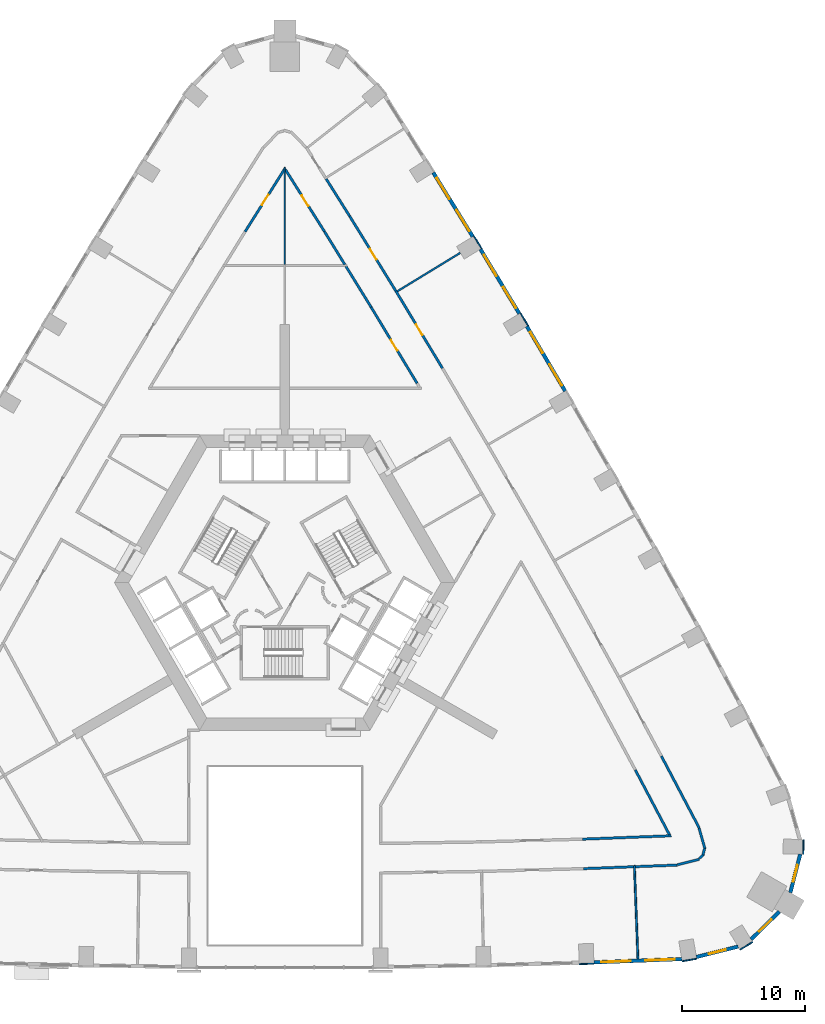
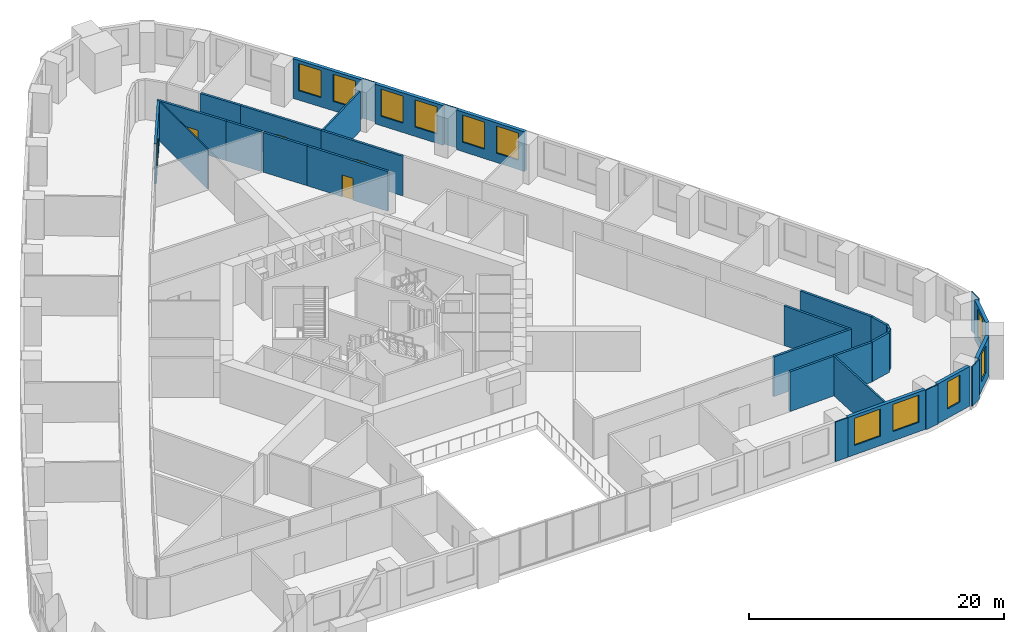
# One storey, part 10 of 13: 33 walls, 11 windows, 5 doors, 16 openings.
"""IFC4 building model written with IfcOpenShell, lengths in metres."""

import ifcopenshell
import ifcopenshell.guid

model = None  # the IFC model being written
_history = None  # IfcOwnerHistory: only IFC2X3 demands one
_inside = {}  # id of a spatial element -> (the spatial element, [elements in it])
_under = {}  # id of a project, library or spatial element -> (it, [spatial elements below it])
_declared = {}  # id of a project -> (the project, [libraries it declares])
_typed = {}  # id of a type object -> (the type object, [elements of that type])
_made_of = {}  # id of a material, layer set ... -> (it, [elements and type objects made of it])


def new_model(schema):
    """Start an empty IFC model of exactly this schema.

    Asked for "IFC4X3", IfcOpenShell would pick the latest addendum, in which some entities
    have other attributes; the version numbers below select the first issue.
    IFC2X3 requires an IfcOwnerHistory on every rooted entity: one is made here for all.
    """
    global model, _history
    if schema == "IFC4X3":
        model = ifcopenshell.file(schema_version=(4, 3, 0, 0))
    else:
        model = ifcopenshell.file(schema=schema)
    _inside.clear()
    _under.clear()
    _declared.clear()
    _typed.clear()
    _made_of.clear()
    _history = None
    if model.schema == "IFC2X3":
        org = make("IfcOrganization", Name="unknown")
        user = make(
            "IfcPersonAndOrganization",
            ThePerson=make("IfcPerson", FamilyName="unknown"),
            TheOrganization=org,
        )
        app = make(
            "IfcApplication",
            ApplicationDeveloper=org,
            Version="unknown",
            ApplicationFullName="unknown",
            ApplicationIdentifier="unknown",
        )
        _history = make(
            "IfcOwnerHistory",
            OwningUser=user,
            OwningApplication=app,
            ChangeAction="ADDED",
            CreationDate=0,
        )
    return model


def make(cls, **values):
    """One entity of the class cls with the attributes given. An attribute that is None is left unset."""
    return model.create_entity(
        cls, **{name: value for name, value in values.items() if value is not None}
    )


def rooted(cls, **values):
    """An entity with a GlobalId (a new one), such as an element, a storey or a relation."""
    return make(cls, GlobalId=ifcopenshell.guid.new(), OwnerHistory=_history, **values)


def si_unit(unit_type, name, prefix=None):
    """IfcSIUnit, for example si_unit("LENGTHUNIT", "METRE", prefix="MILLI")."""
    return make("IfcSIUnit", UnitType=unit_type, Prefix=prefix, Name=name)


def assignment(units):
    """IfcUnitAssignment: the units of a project."""
    return None if units is None else make("IfcUnitAssignment", Units=units)


def point(xyz):
    """IfcCartesianPoint."""
    return None if xyz is None else make("IfcCartesianPoint", Coordinates=xyz)


def direction(xyz):
    """IfcDirection."""
    return None if xyz is None else make("IfcDirection", DirectionRatios=xyz)


def frame(location, z_axis=None, x_axis=None):
    """IfcAxis2Placement3D, a coordinate frame: its origin and axes. An axis left out is left unset."""
    return make(
        "IfcAxis2Placement3D",
        Location=point(location),
        Axis=direction(z_axis),
        RefDirection=direction(x_axis),
    )


def frame_2d(location, x_axis=None):
    """IfcAxis2Placement2D, a coordinate frame in the plane: its origin and x axis."""
    return make(
        "IfcAxis2Placement2D", Location=point(location), RefDirection=direction(x_axis)
    )


def origin():
    """The frame at (0, 0, 0) with its axes left unset."""
    return frame((0.0, 0.0, 0.0))


def place(relative_to, where):
    """IfcLocalPlacement: puts the frame where relative to a parent placement (None: the world)."""
    return make(
        "IfcLocalPlacement", PlacementRelTo=relative_to, RelativePlacement=where
    )


def context(
    kind, dimensions, precision=None, world=None, true_north=None, identifier=None
):
    """IfcGeometricRepresentationContext, for example the 3D "Model" context."""
    return make(
        "IfcGeometricRepresentationContext",
        ContextIdentifier=identifier,
        ContextType=kind,
        CoordinateSpaceDimension=dimensions,
        Precision=precision,
        WorldCoordinateSystem=world,
        TrueNorth=true_north,
    )


def subcontext(parent, identifier, kind, view, scale=None):
    """IfcGeometricRepresentationSubContext, for example "Body" below "Model"."""
    return make(
        "IfcGeometricRepresentationSubContext",
        ContextIdentifier=identifier,
        ContextType=kind,
        ParentContext=parent,
        TargetScale=scale,
        TargetView=view,
    )


def project(units=None, contexts=None):
    """IfcProject with its units and contexts."""
    return rooted(
        "IfcProject",
        Name="project",
        RepresentationContexts=contexts,
        UnitsInContext=assignment(units),
    )


def spatial(cls, under=None, at=None, **own):
    """A site, building, storey or space (cls), placed at a placement, below another one or the project."""
    s = rooted(cls, ObjectPlacement=at, **own)
    if under is not None:
        _under.setdefault(under.id(), (under, []))[1].append(s)
    return s


def profile(cls, at=None, kind="AREA", **sizes):
    """A parametric profile (cls). Its sizes go by their IFC names, for example OverallWidth=200.0."""
    return make(cls, ProfileType=kind, Position=at, **sizes)


def rectangle(**sizes):
    """IfcRectangleProfileDef."""
    return profile("IfcRectangleProfileDef", **sizes)


def extrude(swept, where, along, depth):
    """IfcExtrudedAreaSolid: the profile swept, set in the frame where, extruded along a direction by depth."""
    return make(
        "IfcExtrudedAreaSolid",
        SweptArea=swept,
        Position=where,
        ExtrudedDirection=direction(along),
        Depth=depth,
    )


def shape(context_of_items, identifier, shape_type, items):
    """IfcShapeRepresentation: the items that make up one representation, for example the "Body"."""
    return make(
        "IfcShapeRepresentation",
        ContextOfItems=context_of_items,
        RepresentationIdentifier=identifier,
        RepresentationType=shape_type,
        Items=items,
    )


def material(Name=None, Category=None):
    """IfcMaterial."""
    return make("IfcMaterial", Name=Name, Category=Category)


def layer(
    of_material, thickness, ventilated=None, Name=None, Category=None, Priority=None
):
    """IfcMaterialLayer: one layer of a wall or slab, of a material (None: an air gap)."""
    return make(
        "IfcMaterialLayer",
        Material=of_material,
        LayerThickness=thickness,
        IsVentilated=ventilated,
        Name=Name,
        Category=Category,
        Priority=Priority,
    )


def layer_set(layers, Name=None):
    """IfcMaterialLayerSet."""
    return make("IfcMaterialLayerSet", MaterialLayers=layers, LayerSetName=Name)


def made_of(thing, what):
    """Note that an element or type object is made of a material, layer set ...; save() writes the relation."""
    if what is not None:
        _made_of.setdefault(what.id(), (what, []))[1].append(thing)
    return thing


def type_object(cls, material=None, **own):
    """A type object (cls), such as IfcWallType, which elements share."""
    return made_of(rooted(cls, **own), material)


def element(
    cls,
    number,
    at=None,
    inside=None,
    cuts=None,
    type_object=None,
    material=None,
    context=None,
    identifier="Body",
    shape_type=None,
    held_by="IfcProductDefinitionShape",
    body=None,
    shapes=None,
    **own,
):
    """One element of the class cls, such as IfcWall. Its Tag is "e" and its number.

    at: its placement. inside: the storey or other place that contains it. cuts: it is an
    opening in that element (IfcRelVoidsElement). A single representation is given by context,
    identifier, shape_type and body (its items); several are given by shapes. held_by: the class
    of the entity that holds the representations. save() writes the other relations.
    """
    e = rooted(cls, Tag="e%d" % number, ObjectPlacement=at, **own)
    if body is not None:
        shapes = [shape(context, identifier, shape_type, body)]
    if shapes is not None:
        e.Representation = make(held_by, Representations=shapes)
    if inside is not None:
        _inside.setdefault(inside.id(), (inside, []))[1].append(e)
    if cuts is not None:
        rooted(
            "IfcRelVoidsElement", RelatingBuildingElement=cuts, RelatedOpeningElement=e
        )
    if type_object is not None:
        _typed.setdefault(type_object.id(), (type_object, []))[1].append(e)
    return made_of(e, material)


def fill(opening, filler):
    """IfcRelFillsElement: the door or window that sits in an opening."""
    return rooted(
        "IfcRelFillsElement",
        RelatingOpeningElement=opening,
        RelatedBuildingElement=filler,
    )


def aggregate(whole, parts):
    """IfcRelAggregates: a whole, such as a stair, and the parts it consists of."""
    return rooted("IfcRelAggregates", RelatingObject=whole, RelatedObjects=parts)


def save(model, path):
    """Write the relations noted so far, then the file.

    IfcRelAggregates (storeys below a building ...), IfcRelContainedInSpatialStructure (elements
    in a storey), IfcRelDefinesByType, IfcRelAssociatesMaterial and IfcRelDeclares: one each for
    every whole, place, type object, material and project.
    """
    for whole, parts in _under.values():
        aggregate(whole, parts)
    for where, things in _inside.values():
        rooted(
            "IfcRelContainedInSpatialStructure",
            RelatedElements=things,
            RelatingStructure=where,
        )
    for kind, things in _typed.values():
        rooted("IfcRelDefinesByType", RelatedObjects=things, RelatingType=kind)
    for what, things in _made_of.values():
        rooted("IfcRelAssociatesMaterial", RelatedObjects=things, RelatingMaterial=what)
    for by, libraries in _declared.values():
        rooted("IfcRelDeclares", RelatingContext=by, RelatedDefinitions=libraries)
    model.write(path)


model = new_model("IFC4")

# Units and contexts
model_context = context("Model", 3, precision=1e-05, world=origin(), true_north=direction((0.0, 1.0)))
body_context = subcontext(model_context, "Body", "Model", "MODEL_VIEW")
ifc_project = project(units=[si_unit("LENGTHUNIT", "METRE"), si_unit("AREAUNIT", "SQUARE_METRE"), si_unit("VOLUMEUNIT", "CUBIC_METRE"), si_unit("PLANEANGLEUNIT", "RADIAN"), si_unit("MASSUNIT", "GRAM", prefix="KILO")], contexts=[model_context])

# Site, building, storey
site_placement = place(None, origin())
site = spatial("IfcSite", under=ifc_project, at=site_placement, CompositionType="ELEMENT")
building_placement = place(site_placement, origin())
building = spatial("IfcBuilding", under=site, at=building_placement, Name="Entoto Arch Interchange Tower", CompositionType="ELEMENT")
storey_placement = place(building_placement, frame((0.0, 0.0, 51.800048828125)))
storey = spatial("IfcBuildingStorey", under=building, at=storey_placement, Name="L10", CompositionType="ELEMENT", Elevation=51.800048828125)

# Walls
ifc_material_1 = material(Name="Gypsum board partition on steel studs", Category="steel")
ifc_layer_1 = layer(ifc_material_1, 0.10009765625)
ifc_layer_set_1 = layer_set([ifc_layer_1], Name="Gypsum board partition on steel studs")
wall_type_1 = type_object("IfcWallType", Name="PARTITION 100", PredefinedType="PARTITIONING", material=ifc_layer_set_1)
wall_1_placement = place(storey_placement, frame((0.0, 28.375, 0.0), z_axis=(0.0, 0.0, 1.0), x_axis=(0.0, 1.0, 0.0)))
element("IfcWall", 1, at=wall_1_placement, inside=storey, type_object=wall_type_1, Name="wall:L10:p122", PredefinedType="PARTITIONING", context=body_context, shape_type="SweptSolid", body=[
    extrude(rectangle(XDim=7.89501953125, YDim=0.10009765625, at=frame_2d((3.947509765625, 0.0))), origin(), (0.0, 0.0, 1.0), 3.800048828125),
])
ifc_layer_2 = layer(ifc_material_1, 0.14990234375)
ifc_layer_set_2 = layer_set([ifc_layer_2], Name="Gypsum board partition on steel studs")
wall_type_2 = type_object("IfcWallType", Name="PARTITION 150", PredefinedType="PARTITIONING", material=ifc_layer_set_2)
wall_2_placement = place(storey_placement, frame((28.425048828125, -20.4970703125, 0.0), z_axis=(0.0, 0.0, 1.0), x_axis=(0.03816049016, -0.999271623229, 0.0)))
element("IfcWall", 2, at=wall_2_placement, inside=storey, type_object=wall_type_2, Name="wall:L10:p133", PredefinedType="PARTITIONING", context=body_context, shape_type="SweptSolid", body=[
    extrude(rectangle(XDim=7.6005859375, YDim=0.14990234375, at=frame_2d((3.80029296875, 0.0))), origin(), (0.0, 0.0, 1.0), 3.800048828125),
])
wall_3_placement = place(storey_placement, frame((9.156005859375, 26.200927734375, 0.0), z_axis=(0.0, 0.0, 1.0), x_axis=(0.853632819511, 0.520875234057, 0.0)))
element("IfcWall", 3, at=wall_3_placement, inside=storey, type_object=wall_type_2, Name="wall:L10:p137", PredefinedType="PARTITIONING", context=body_context, shape_type="SweptSolid", body=[
    extrude(rectangle(XDim=5.980224609375, YDim=0.14990234375, at=frame_2d((2.990234375, 0.0))), origin(), (0.0, 0.0, 1.0), 3.800048828125),
])

# Wall, opening, door
ifc_layer_3 = layer(ifc_material_1, 0.199951171875)
ifc_layer_set_3 = layer_set([ifc_layer_3], Name="Gypsum board partition on steel studs")
wall_type_3 = type_object("IfcWallType", Name="PARTITION 200", PredefinedType="PARTITIONING", material=ifc_layer_set_3)
wall_4_placement = place(storey_placement, frame((10.75390625, 18.716064453125, 0.0), z_axis=(0.0, 0.0, 1.0), x_axis=(-0.516755973305, 0.856132737403, 0.0)))
wall_4 = element("IfcWall", 4, at=wall_4_placement, inside=storey, type_object=wall_type_3, Name="wall:L10:p009", PredefinedType="PARTITIONING", context=body_context, shape_type="SweptSolid", body=[
    extrude(rectangle(XDim=7.221923828125, YDim=0.199951171875, at=frame_2d((3.61083984375, 0.0))), origin(), (0.0, 0.0, 1.0), 3.800048828125),
])
opening_1_placement = place(wall_4_placement, frame((3.111083984375, 0.0, 0.0)))
opening_1 = element("IfcOpeningElement", 5, at=opening_1_placement, cuts=wall_4, Name="Opening L10-D17", PredefinedType="OPENING", context=body_context, shape_type="SweptSolid", body=[
    extrude(rectangle(XDim=1.0, YDim=2.10009765625, at=frame_2d((0.5, 1.050048828125))), frame((0.0, 0.10986328125, 0.0), z_axis=(0.0, -1.0, 0.0), x_axis=(1.0, 0.0, 0.0)), (0.0, 0.0, 1.0), 0.219970703125),
])
ifc_material_2 = material(Name="Timber door leaf in Steel S235 frame", Category="steel")
door_type = type_object("IfcDoorType", Name="DOOR DS-10 1000x2100", OperationType="SINGLE_SWING_LEFT", PredefinedType="DOOR", material=ifc_material_2)
door_1_placement = place(opening_1_placement, origin())
door_1 = element("IfcDoor", 6, at=door_1_placement, inside=storey, type_object=door_type, Name="door:L10:17", OperationType="SINGLE_SWING_LEFT", OverallHeight=2.10009765625, OverallWidth=1.0, PredefinedType="DOOR", context=body_context, shape_type="SweptSolid", body=[
    extrude(rectangle(XDim=1.0, YDim=2.10009765625, at=frame_2d((0.5, 1.050048828125))), frame((0.0, 0.02490234375, 0.0), z_axis=(0.0, -1.0, 0.0), x_axis=(1.0, 0.0, 0.0)), (0.0, 0.0, 1.0), 0.050048828125),
])
fill(opening_1, door_1)

# Walls
wall_5_placement = place(storey_placement, frame((7.02197265625, 24.89892578125, 0.0), z_axis=(0.0, 0.0, 1.0), x_axis=(-0.525104448775, 0.851037788748, 0.0)))
element("IfcWall", 7, at=wall_5_placement, inside=storey, type_object=wall_type_3, Name="wall:L10:p010", PredefinedType="PARTITIONING", context=body_context, shape_type="SweptSolid", body=[
    extrude(rectangle(XDim=3.92138671875, YDim=0.199951171875, at=frame_2d((1.960693359375, 0.0))), origin(), (0.0, 0.0, 1.0), 3.800048828125),
])
wall_6_placement = place(storey_placement, frame((4.885009765625, 28.364013671875, 0.0), z_axis=(0.0, 0.0, 1.0), x_axis=(-0.525078663571, 0.851053698107, 0.0)))
element("IfcWall", 8, at=wall_6_placement, inside=storey, type_object=wall_type_3, Name="wall:L10:p014", PredefinedType="PARTITIONING", context=body_context, shape_type="SweptSolid", body=[
    extrude(rectangle(XDim=3.150146484375, YDim=0.199951171875, at=frame_2d((1.5751953125, 0.0))), origin(), (0.0, 0.0, 1.0), 3.800048828125),
])

# Wall, opening, door
wall_7_placement = place(storey_placement, frame((3.23095703125, 31.044921875, 0.0), z_axis=(0.0, 0.0, 1.0), x_axis=(-0.533294550084, 0.845929620507, 0.0)))
wall_7 = element("IfcWall", 9, at=wall_7_placement, inside=storey, type_object=wall_type_3, Name="wall:L10:p015", PredefinedType="PARTITIONING", context=body_context, shape_type="SweptSolid", body=[
    extrude(rectangle(XDim=5.959228515625, YDim=0.199951171875, at=frame_2d((2.9794921875, 0.0))), origin(), (0.0, 0.0, 1.0), 3.800048828125),
])
opening_2_placement = place(wall_7_placement, frame((2.47900390625, 0.0, 0.0)))
opening_2 = element("IfcOpeningElement", 10, at=opening_2_placement, cuts=wall_7, Name="Opening L10-D19", PredefinedType="OPENING", context=body_context, shape_type="SweptSolid", body=[
    extrude(rectangle(XDim=1.0, YDim=2.10009765625, at=frame_2d((0.5, 1.050048828125))), frame((0.0, 0.10986328125, 0.0), z_axis=(0.0, -1.0, 0.0), x_axis=(1.0, 0.0, 0.0)), (0.0, 0.0, 1.0), 0.219970703125),
])
door_2_placement = place(opening_2_placement, origin())
door_2 = element("IfcDoor", 11, at=door_2_placement, inside=storey, type_object=door_type, Name="door:L10:19", OperationType="SINGLE_SWING_LEFT", OverallHeight=2.10009765625, OverallWidth=1.0, PredefinedType="DOOR", context=body_context, shape_type="SweptSolid", body=[
    extrude(rectangle(XDim=1.0, YDim=2.10009765625, at=frame_2d((0.5, 1.050048828125))), frame((0.0, 0.02490234375, 0.0), z_axis=(0.0, -1.0, 0.0), x_axis=(1.0, 0.0, 0.0)), (0.0, 0.0, 1.0), 0.050048828125),
])
fill(opening_2, door_2)

wall_8_placement = place(storey_placement, frame((0.027099609375, 36.212890625, 0.0), z_axis=(0.0, 0.0, 1.0), x_axis=(-0.533299680037, -0.845926386438, 0.0)))
wall_8 = element("IfcWall", 12, at=wall_8_placement, inside=storey, type_object=wall_type_3, Name="wall:L10:p016", PredefinedType="PARTITIONING", context=body_context, shape_type="SweptSolid", body=[
    extrude(rectangle(XDim=6.109130859375, YDim=0.199951171875, at=frame_2d((3.0546875, 0.0))), origin(), (0.0, 0.0, 1.0), 3.800048828125),
])
opening_3_placement = place(wall_8_placement, frame((2.553955078125, 0.0, 0.0)))
opening_3 = element("IfcOpeningElement", 13, at=opening_3_placement, cuts=wall_8, Name="Opening L10-D20", PredefinedType="OPENING", context=body_context, shape_type="SweptSolid", body=[
    extrude(rectangle(XDim=1.0, YDim=2.10009765625, at=frame_2d((0.5, 1.050048828125))), frame((0.0, 0.10986328125, 0.0), z_axis=(0.0, -1.0, 0.0), x_axis=(1.0, 0.0, 0.0)), (0.0, 0.0, 1.0), 0.219970703125),
])
door_3_placement = place(opening_3_placement, origin())
door_3 = element("IfcDoor", 14, at=door_3_placement, inside=storey, type_object=door_type, Name="door:L10:20", OperationType="SINGLE_SWING_LEFT", OverallHeight=2.10009765625, OverallWidth=1.0, PredefinedType="DOOR", context=body_context, shape_type="SweptSolid", body=[
    extrude(rectangle(XDim=1.0, YDim=2.10009765625, at=frame_2d((0.5, 1.050048828125))), frame((0.0, 0.02490234375, 0.0), z_axis=(0.0, -1.0, 0.0), x_axis=(1.0, 0.0, 0.0)), (0.0, 0.0, 1.0), 0.050048828125),
])
fill(opening_3, door_3)

# Walls
wall_9_placement = place(storey_placement, frame((24.2080078125, -18.35595703125, 0.0), z_axis=(0.0, 0.0, 1.0), x_axis=(0.999275140761, 0.03806826838, 0.0)))
element("IfcWall", 15, at=wall_9_placement, inside=storey, type_object=wall_type_3, Name="wall:L10:p020", PredefinedType="PARTITIONING", context=body_context, shape_type="SweptSolid", body=[
    extrude(rectangle(XDim=7.22119140625, YDim=0.199951171875, at=frame_2d((3.610595703125, 0.0))), origin(), (0.0, 0.0, 1.0), 3.800048828125),
])
wall_10_placement = place(storey_placement, frame((31.277099609375, -17.9970703125, 0.0), z_axis=(0.0, 0.0, 1.0), x_axis=(-0.465862938277, 0.884856893933, 0.0)))
element("IfcWall", 16, at=wall_10_placement, inside=storey, type_object=wall_type_3, Name="wall:L10:p021", PredefinedType="PARTITIONING", context=body_context, shape_type="SweptSolid", body=[
    extrude(rectangle(XDim=5.958984375, YDim=0.199951171875, at=frame_2d((2.9794921875, 0.0))), origin(), (0.0, 0.0, 1.0), 3.800048828125),
])
wall_11_placement = place(storey_placement, frame((28.35400390625, -20.60009765625, 0.0), z_axis=(0.0, 0.0, 1.0), x_axis=(-0.999276945714, -0.038020859604, 0.0)))
element("IfcWall", 17, at=wall_11_placement, inside=storey, type_object=wall_type_3, Name="wall:L10:p038", PredefinedType="PARTITIONING", context=body_context, shape_type="SweptSolid", body=[
    extrude(rectangle(XDim=4.071044921875, YDim=0.199951171875, at=frame_2d((2.03564453125, 0.0))), origin(), (0.0, 0.0, 1.0), 3.800048828125),
])
wall_12_placement = place(storey_placement, frame((30.618896484375, -11.594970703125, 0.0), z_axis=(0.0, 0.0, 1.0), x_axis=(0.465905874098, -0.884834287582, 0.0)))
element("IfcWall", 18, at=wall_12_placement, inside=storey, type_object=wall_type_3, Name="wall:L10:p041", PredefinedType="PARTITIONING", context=body_context, shape_type="SweptSolid", body=[
    extrude(rectangle(XDim=6.626220703125, YDim=0.199951171875, at=frame_2d((3.31298828125, 0.0))), origin(), (0.0, 0.0, 1.0), 3.800048828125),
])
wall_13_placement = place(storey_placement, frame((33.68701171875, -17.466064453125, 0.0), z_axis=(0.0, 0.0, 1.0), x_axis=(0.272780480932, -0.962076301144, 0.0)))
element("IfcWall", 19, at=wall_13_placement, inside=storey, type_object=wall_type_3, Name="wall:L10:p042", PredefinedType="PARTITIONING", context=body_context, shape_type="SweptSolid", body=[
    extrude(rectangle(XDim=1.7783203125, YDim=0.199951171875, at=frame_2d((0.88916015625, 0.0))), origin(), (0.0, 0.0, 1.0), 3.800048828125),
])
wall_14_placement = place(storey_placement, frame((34.139892578125, -19.09912109375, 0.0), z_axis=(0.0, 0.0, 1.0), x_axis=(-0.249326881699, -0.968419385423, 0.0)))
element("IfcWall", 20, at=wall_14_placement, inside=storey, type_object=wall_type_3, Name="wall:L10:p043", PredefinedType="PARTITIONING", context=body_context, shape_type="SweptSolid", body=[
    extrude(rectangle(XDim=0.54931640625, YDim=0.199951171875, at=frame_2d((0.274658203125, 0.0))), origin(), (0.0, 0.0, 1.0), 3.800048828125),
])
wall_15_placement = place(storey_placement, frame((34.073974609375, -19.56201171875, 0.0), z_axis=(0.0, 0.0, 1.0), x_axis=(-0.713456013967, -0.700700018649, 0.0)))
element("IfcWall", 21, at=wall_15_placement, inside=storey, type_object=wall_type_3, Name="wall:L10:p044", PredefinedType="PARTITIONING", context=body_context, shape_type="SweptSolid", body=[
    extrude(rectangle(XDim=0.554931640625, YDim=0.199951171875, at=frame_2d((0.27734375, 0.0))), origin(), (0.0, 0.0, 1.0), 3.800048828125),
])
wall_16_placement = place(storey_placement, frame((33.702880859375, -19.9970703125, 0.0), z_axis=(0.0, 0.0, 1.0), x_axis=(-0.970421070494, -0.241418611423, 0.0)))
element("IfcWall", 22, at=wall_16_placement, inside=storey, type_object=wall_type_3, Name="wall:L10:p045", PredefinedType="PARTITIONING", context=body_context, shape_type="SweptSolid", body=[
    extrude(rectangle(XDim=1.8515625, YDim=0.199951171875, at=frame_2d((0.92578125, 0.0))), origin(), (0.0, 0.0, 1.0), 3.800048828125),
])
wall_17_placement = place(storey_placement, frame((31.908935546875, -20.464111328125, 0.0), z_axis=(0.0, 0.0, 1.0), x_axis=(-0.999273295147, -0.038116684091, 0.0)))
element("IfcWall", 23, at=wall_17_placement, inside=storey, type_object=wall_type_3, Name="wall:L10:p046", PredefinedType="PARTITIONING", context=body_context, shape_type="SweptSolid", body=[
    extrude(rectangle(XDim=3.407470703125, YDim=0.199951171875, at=frame_2d((1.70361328125, 0.0))), origin(), (0.0, 0.0, 1.0), 3.800048828125),
])

# Wall, opening, door
wall_18_placement = place(storey_placement, frame((9.031982421875, 26.212890625, 0.0), z_axis=(0.0, 0.0, 1.0), x_axis=(0.516789314756, -0.856112611841, 0.0)))
wall_18 = element("IfcWall", 24, at=wall_18_placement, inside=storey, type_object=wall_type_3, Name="wall:L10:p051", PredefinedType="PARTITIONING", context=body_context, shape_type="SweptSolid", body=[
    extrude(rectangle(XDim=7.320068359375, YDim=0.199951171875, at=frame_2d((3.66015625, 0.0))), origin(), (0.0, 0.0, 1.0), 3.800048828125),
])
opening_4_placement = place(wall_18_placement, frame((3.159912109375, 0.0, 0.0)))
opening_4 = element("IfcOpeningElement", 25, at=opening_4_placement, cuts=wall_18, Name="Opening L10-D06", PredefinedType="OPENING", context=body_context, shape_type="SweptSolid", body=[
    extrude(rectangle(XDim=1.0, YDim=2.10009765625, at=frame_2d((0.5, 1.050048828125))), frame((0.0, 0.10986328125, 0.0), z_axis=(0.0, -1.0, 0.0), x_axis=(1.0, 0.0, 0.0)), (0.0, 0.0, 1.0), 0.219970703125),
])
door_4_placement = place(opening_4_placement, origin())
door_4 = element("IfcDoor", 26, at=door_4_placement, inside=storey, type_object=door_type, Name="door:L10:06", OperationType="SINGLE_SWING_LEFT", OverallHeight=2.10009765625, OverallWidth=1.0, PredefinedType="DOOR", context=body_context, shape_type="SweptSolid", body=[
    extrude(rectangle(XDim=1.0, YDim=2.10009765625, at=frame_2d((0.5, 1.050048828125))), frame((0.0, 0.02490234375, 0.0), z_axis=(0.0, -1.0, 0.0), x_axis=(1.0, 0.0, 0.0)), (0.0, 0.0, 1.0), 0.050048828125),
])
fill(opening_4, door_4)

# Wall
wall_19_placement = place(storey_placement, frame((3.35888671875, 35.341064453125, 0.0), z_axis=(0.0, 0.0, 1.0), x_axis=(0.533386910893, -0.845871386966, 0.0)))
element("IfcWall", 27, at=wall_19_placement, inside=storey, type_object=wall_type_3, Name="wall:L10:p053", PredefinedType="PARTITIONING", context=body_context, shape_type="SweptSolid", body=[
    extrude(rectangle(XDim=3.57763671875, YDim=0.199951171875, at=frame_2d((1.788818359375, 0.0))), origin(), (0.0, 0.0, 1.0), 3.800048828125),
])

# Wall, opening, door
wall_20_placement = place(storey_placement, frame((5.26708984375, 32.31494140625, 0.0), z_axis=(0.0, 0.0, 1.0), x_axis=(0.524988204957, -0.851109502153, 0.0)))
wall_20 = element("IfcWall", 28, at=wall_20_placement, inside=storey, type_object=wall_type_3, Name="wall:L10:p054", PredefinedType="PARTITIONING", context=body_context, shape_type="SweptSolid", body=[
    extrude(rectangle(XDim=7.16943359375, YDim=0.199951171875, at=frame_2d((3.584716796875, 0.0))), origin(), (0.0, 0.0, 1.0), 3.800048828125),
])
opening_5_placement = place(wall_20_placement, frame((3.159912109375, 0.0, 0.0)))
opening_5 = element("IfcOpeningElement", 29, at=opening_5_placement, cuts=wall_20, Name="Opening L10-D07", PredefinedType="OPENING", context=body_context, shape_type="SweptSolid", body=[
    extrude(rectangle(XDim=1.0, YDim=2.10009765625, at=frame_2d((0.5, 1.050048828125))), frame((0.0, 0.10986328125, 0.0), z_axis=(0.0, -1.0, 0.0), x_axis=(1.0, 0.0, 0.0)), (0.0, 0.0, 1.0), 0.219970703125),
])
door_5_placement = place(opening_5_placement, origin())
door_5 = element("IfcDoor", 30, at=door_5_placement, inside=storey, type_object=door_type, Name="door:L10:07", OperationType="SINGLE_SWING_RIGHT", OverallHeight=2.10009765625, OverallWidth=1.0, PredefinedType="DOOR", context=body_context, shape_type="SweptSolid", body=[
    extrude(rectangle(XDim=1.0, YDim=2.10009765625, at=frame_2d((0.5, 1.050048828125))), frame((0.0, 0.02490234375, 0.0), z_axis=(0.0, -1.0, 0.0), x_axis=(1.0, 0.0, 0.0)), (0.0, 0.0, 1.0), 0.050048828125),
])
fill(opening_5, door_5)

# Wall, openings, windows
ifc_material_3 = material(Name="Welded tuff (ignimbrite) cladding, warm buff", Category="masonry")
ifc_layer_4 = layer(ifc_material_3, 0.300048828125)
ifc_layer_set_4 = layer_set([ifc_layer_4], Name="Welded tuff (ignimbrite) cladding, warm buff")
wall_type_4 = type_object("IfcWallType", Name="STONE INFILL WALL 300", PredefinedType="STANDARD", material=ifc_layer_set_4)
wall_21_placement = place(storey_placement, frame((25.134033203125, -28.3779296875, 0.0), z_axis=(0.0, 0.0, 1.0), x_axis=(0.999276920032, 0.038021534562, 0.0)))
wall_21 = element("IfcWall", 31, at=wall_21_placement, inside=storey, type_object=wall_type_4, Name="Facade wall S-07 L10", PredefinedType="STANDARD", context=body_context, shape_type="SweptSolid", body=[
    extrude(rectangle(XDim=7.153076171875, YDim=0.300048828125, at=frame_2d((3.57666015625, 0.0))), origin(), (0.0, 0.0, 1.0), 3.800048828125),
])
opening_6_placement = place(wall_21_placement, frame((0.587890625, 0.0, 0.89990234375)))
opening_6 = element("IfcOpeningElement", 32, at=opening_6_placement, cuts=wall_21, Name="Opening WO-A", PredefinedType="OPENING", context=body_context, shape_type="SweptSolid", body=[
    extrude(rectangle(XDim=2.39990234375, YDim=2.60009765625, at=frame_2d((1.199951171875, 1.300048828125))), frame((0.0, 0.16015625, 0.0), z_axis=(0.0, -1.0, 0.0), x_axis=(1.0, 0.0, 0.0)), (0.0, 0.0, 1.0), 0.320068359375),
])
opening_7_placement = place(wall_21_placement, frame((4.1650390625, 0.0, 0.89990234375)))
opening_7 = element("IfcOpeningElement", 33, at=opening_7_placement, cuts=wall_21, Name="Opening WO-A", PredefinedType="OPENING", context=body_context, shape_type="SweptSolid", body=[
    extrude(rectangle(XDim=2.39990234375, YDim=2.60009765625, at=frame_2d((1.199951171875, 1.300048828125))), frame((0.0, 0.16015625, 0.0), z_axis=(0.0, -1.0, 0.0), x_axis=(1.0, 0.0, 0.0)), (0.0, 0.0, 1.0), 0.320068359375),
])
ifc_material_4 = material(Name="Clear glass, low-e double glazed", Category="glass")
window_type_1 = type_object("IfcWindowType", Name="WINDOW WO-A 2400x2600", PartitioningType="DOUBLE_PANEL_VERTICAL", PredefinedType="WINDOW", material=ifc_material_4)
window_1_placement = place(opening_6_placement, origin())
window_1 = element("IfcWindow", 34, at=window_1_placement, inside=storey, type_object=window_type_1, Name="Window WO-A S-07 L10", OverallHeight=2.60009765625, OverallWidth=2.39990234375, PartitioningType="SINGLE_PANEL", PredefinedType="WINDOW", context=body_context, shape_type="SweptSolid", body=[
    extrude(rectangle(XDim=2.39990234375, YDim=2.60009765625, at=frame_2d((1.199951171875, 1.300048828125))), frame((0.0, 0.030029296875, 0.0), z_axis=(0.0, -1.0, 0.0), x_axis=(1.0, 0.0, 0.0)), (0.0, 0.0, 1.0), 0.06005859375),
])
fill(opening_6, window_1)
window_2_placement = place(opening_7_placement, origin())
window_2 = element("IfcWindow", 35, at=window_2_placement, inside=storey, type_object=window_type_1, Name="Window WO-A S-07 L10", OverallHeight=2.60009765625, OverallWidth=2.39990234375, PartitioningType="SINGLE_PANEL", PredefinedType="WINDOW", context=body_context, shape_type="SweptSolid", body=[
    extrude(rectangle(XDim=2.39990234375, YDim=2.60009765625, at=frame_2d((1.199951171875, 1.300048828125))), frame((0.0, 0.030029296875, 0.0), z_axis=(0.0, -1.0, 0.0), x_axis=(1.0, 0.0, 0.0)), (0.0, 0.0, 1.0), 0.06005859375),
])
fill(opening_7, window_2)

# Wall, opening, window
wall_22_placement = place(storey_placement, frame((33.468994140625, -27.93896484375, 0.0), z_axis=(0.0, 0.0, 1.0), x_axis=(0.970331016871, 0.241780308749, 0.0)))
wall_22 = element("IfcWall", 36, at=wall_22_placement, inside=storey, type_object=wall_type_4, Name="Facade wall SE-01 L10", PredefinedType="STANDARD", context=body_context, shape_type="SweptSolid", body=[
    extrude(rectangle(XDim=3.498779296875, YDim=0.300048828125, at=frame_2d((1.74951171875, 0.0))), origin(), (0.0, 0.0, 1.0), 3.800048828125),
])
opening_8_placement = place(wall_22_placement, frame((1.049072265625, 0.0, 0.89990234375)))
opening_8 = element("IfcOpeningElement", 37, at=opening_8_placement, cuts=wall_22, Name="Opening WO-B", PredefinedType="OPENING", context=body_context, shape_type="SweptSolid", body=[
    extrude(rectangle(XDim=1.39990234375, YDim=2.60009765625, at=frame_2d((0.699951171875, 1.300048828125))), frame((0.0, 0.16015625, 0.0), z_axis=(0.0, -1.0, 0.0), x_axis=(1.0, 0.0, 0.0)), (0.0, 0.0, 1.0), 0.320068359375),
])
window_type_2 = type_object("IfcWindowType", Name="WINDOW WO-B 1400x2600", PartitioningType="DOUBLE_PANEL_VERTICAL", PredefinedType="WINDOW", material=ifc_material_4)
window_3_placement = place(opening_8_placement, origin())
window_3 = element("IfcWindow", 38, at=window_3_placement, inside=storey, type_object=window_type_2, Name="Window WO-B SE-01 L10", OverallHeight=2.60009765625, OverallWidth=1.39990234375, PartitioningType="SINGLE_PANEL", PredefinedType="WINDOW", context=body_context, shape_type="SweptSolid", body=[
    extrude(rectangle(XDim=1.39990234375, YDim=2.60009765625, at=frame_2d((0.699951171875, 1.300048828125))), frame((0.0, 0.030029296875, 0.0), z_axis=(0.0, -1.0, 0.0), x_axis=(1.0, 0.0, 0.0)), (0.0, 0.0, 1.0), 0.06005859375),
])
fill(opening_8, window_3)

wall_23_placement = place(storey_placement, frame((37.9140625, -26.512939453125, 0.0), z_axis=(0.0, 0.0, 1.0), x_axis=(0.71340487189, 0.700752087948, 0.0)))
wall_23 = element("IfcWall", 39, at=wall_23_placement, inside=storey, type_object=wall_type_4, Name="Facade wall SE-02 L10", PredefinedType="STANDARD", context=body_context, shape_type="SweptSolid", body=[
    extrude(rectangle(XDim=3.222412109375, YDim=0.300048828125, at=frame_2d((1.611328125, 0.0))), origin(), (0.0, 0.0, 1.0), 3.800048828125),
])
opening_9_placement = place(wall_23_placement, frame((0.910888671875, 0.0, 0.89990234375)))
opening_9 = element("IfcOpeningElement", 40, at=opening_9_placement, cuts=wall_23, Name="Opening WO-B", PredefinedType="OPENING", context=body_context, shape_type="SweptSolid", body=[
    extrude(rectangle(XDim=1.39990234375, YDim=2.60009765625, at=frame_2d((0.699951171875, 1.300048828125))), frame((0.0, 0.16015625, 0.0), z_axis=(0.0, -1.0, 0.0), x_axis=(1.0, 0.0, 0.0)), (0.0, 0.0, 1.0), 0.320068359375),
])
window_4_placement = place(opening_9_placement, origin())
window_4 = element("IfcWindow", 41, at=window_4_placement, inside=storey, type_object=window_type_2, Name="Window WO-B SE-02 L10", OverallHeight=2.60009765625, OverallWidth=1.39990234375, PartitioningType="SINGLE_PANEL", PredefinedType="WINDOW", context=body_context, shape_type="SweptSolid", body=[
    extrude(rectangle(XDim=1.39990234375, YDim=2.60009765625, at=frame_2d((0.699951171875, 1.300048828125))), frame((0.0, 0.030029296875, 0.0), z_axis=(0.0, -1.0, 0.0), x_axis=(1.0, 0.0, 0.0)), (0.0, 0.0, 1.0), 0.06005859375),
])
fill(opening_9, window_4)

wall_24_placement = place(storey_placement, frame((41.112060546875, -22.697998046875, 0.0), z_axis=(0.0, 0.0, 1.0), x_axis=(0.250086521833, 0.968223492587, 0.0)))
wall_24 = element("IfcWall", 42, at=wall_24_placement, inside=storey, type_object=wall_type_4, Name="Facade wall SE-03 L10", PredefinedType="STANDARD", context=body_context, shape_type="SweptSolid", body=[
    extrude(rectangle(XDim=3.222412109375, YDim=0.300048828125, at=frame_2d((1.611328125, 0.0))), origin(), (0.0, 0.0, 1.0), 3.800048828125),
])
opening_10_placement = place(wall_24_placement, frame((0.910888671875, 0.0, 0.89990234375)))
opening_10 = element("IfcOpeningElement", 43, at=opening_10_placement, cuts=wall_24, Name="Opening WO-B", PredefinedType="OPENING", context=body_context, shape_type="SweptSolid", body=[
    extrude(rectangle(XDim=1.39990234375, YDim=2.60009765625, at=frame_2d((0.699951171875, 1.300048828125))), frame((0.0, 0.16015625, 0.0), z_axis=(0.0, -1.0, 0.0), x_axis=(1.0, 0.0, 0.0)), (0.0, 0.0, 1.0), 0.320068359375),
])
window_5_placement = place(opening_10_placement, origin())
window_5 = element("IfcWindow", 44, at=window_5_placement, inside=storey, type_object=window_type_2, Name="Window WO-B SE-03 L10", OverallHeight=2.60009765625, OverallWidth=1.39990234375, PartitioningType="SINGLE_PANEL", PredefinedType="WINDOW", context=body_context, shape_type="SweptSolid", body=[
    extrude(rectangle(XDim=1.39990234375, YDim=2.60009765625, at=frame_2d((0.699951171875, 1.300048828125))), frame((0.0, 0.030029296875, 0.0), z_axis=(0.0, -1.0, 0.0), x_axis=(1.0, 0.0, 0.0)), (0.0, 0.0, 1.0), 0.06005859375),
])
fill(opening_10, window_5)

# Wall, openings, windows
wall_25_placement = place(storey_placement, frame((22.800048828125, 18.080078125, 0.0), z_axis=(0.0, 0.0, 1.0), x_axis=(-0.508412153373, 0.861113861404, 0.0)))
wall_25 = element("IfcWall", 45, at=wall_25_placement, inside=storey, type_object=wall_type_4, Name="Facade wall NE-06 L10", PredefinedType="STANDARD", context=body_context, shape_type="SweptSolid", body=[
    extrude(rectangle(XDim=6.12109375, YDim=0.300048828125, at=frame_2d((3.060546875, 0.0))), origin(), (0.0, 0.0, 1.0), 3.800048828125),
])
opening_11_placement = place(wall_25_placement, frame((0.530029296875, 0.0, 0.89990234375)))
opening_11 = element("IfcOpeningElement", 46, at=opening_11_placement, cuts=wall_25, Name="Opening WO-C", PredefinedType="OPENING", context=body_context, shape_type="SweptSolid", body=[
    extrude(rectangle(XDim=2.0, YDim=2.60009765625, at=frame_2d((1.0, 1.300048828125))), frame((0.0, 0.16015625, 0.0), z_axis=(0.0, -1.0, 0.0), x_axis=(1.0, 0.0, 0.0)), (0.0, 0.0, 1.0), 0.320068359375),
])
opening_12_placement = place(wall_25_placement, frame((3.591064453125, 0.0, 0.89990234375)))
opening_12 = element("IfcOpeningElement", 47, at=opening_12_placement, cuts=wall_25, Name="Opening WO-C", PredefinedType="OPENING", context=body_context, shape_type="SweptSolid", body=[
    extrude(rectangle(XDim=2.0, YDim=2.60009765625, at=frame_2d((1.0, 1.300048828125))), frame((0.0, 0.16015625, 0.0), z_axis=(0.0, -1.0, 0.0), x_axis=(1.0, 0.0, 0.0)), (0.0, 0.0, 1.0), 0.320068359375),
])
window_type_3 = type_object("IfcWindowType", Name="WINDOW WO-C 2000x2600", PartitioningType="DOUBLE_PANEL_VERTICAL", PredefinedType="WINDOW", material=ifc_material_4)
window_6_placement = place(opening_11_placement, origin())
window_6 = element("IfcWindow", 48, at=window_6_placement, inside=storey, type_object=window_type_3, Name="Window WO-C NE-06 L10", OverallHeight=2.60009765625, OverallWidth=2.0, PartitioningType="SINGLE_PANEL", PredefinedType="WINDOW", context=body_context, shape_type="SweptSolid", body=[
    extrude(rectangle(XDim=2.0, YDim=2.60009765625, at=frame_2d((1.0, 1.300048828125))), frame((0.0, 0.030029296875, 0.0), z_axis=(0.0, -1.0, 0.0), x_axis=(1.0, 0.0, 0.0)), (0.0, 0.0, 1.0), 0.06005859375),
])
fill(opening_11, window_6)
window_7_placement = place(opening_12_placement, origin())
window_7 = element("IfcWindow", 49, at=window_7_placement, inside=storey, type_object=window_type_3, Name="Window WO-C NE-06 L10", OverallHeight=2.60009765625, OverallWidth=2.0, PartitioningType="SINGLE_PANEL", PredefinedType="WINDOW", context=body_context, shape_type="SweptSolid", body=[
    extrude(rectangle(XDim=2.0, YDim=2.60009765625, at=frame_2d((1.0, 1.300048828125))), frame((0.0, 0.030029296875, 0.0), z_axis=(0.0, -1.0, 0.0), x_axis=(1.0, 0.0, 0.0)), (0.0, 0.0, 1.0), 0.06005859375),
])
fill(opening_12, window_7)

wall_26_placement = place(storey_placement, frame((19.073974609375, 24.3798828125, 0.0), z_axis=(0.0, 0.0, 1.0), x_axis=(-0.516699243123, 0.856166976796, 0.0)))
wall_26 = element("IfcWall", 50, at=wall_26_placement, inside=storey, type_object=wall_type_4, Name="Facade wall NE-07 L10", PredefinedType="STANDARD", context=body_context, shape_type="SweptSolid", body=[
    extrude(rectangle(XDim=6.121826171875, YDim=0.300048828125, at=frame_2d((3.06103515625, 0.0))), origin(), (0.0, 0.0, 1.0), 3.800048828125),
])
opening_13_placement = place(wall_26_placement, frame((0.530029296875, 0.0, 0.89990234375)))
opening_13 = element("IfcOpeningElement", 51, at=opening_13_placement, cuts=wall_26, Name="Opening WO-C", PredefinedType="OPENING", context=body_context, shape_type="SweptSolid", body=[
    extrude(rectangle(XDim=2.0, YDim=2.60009765625, at=frame_2d((1.0, 1.300048828125))), frame((0.0, 0.16015625, 0.0), z_axis=(0.0, -1.0, 0.0), x_axis=(1.0, 0.0, 0.0)), (0.0, 0.0, 1.0), 0.320068359375),
])
opening_14_placement = place(wall_26_placement, frame((3.591064453125, 0.0, 0.89990234375)))
opening_14 = element("IfcOpeningElement", 52, at=opening_14_placement, cuts=wall_26, Name="Opening WO-C", PredefinedType="OPENING", context=body_context, shape_type="SweptSolid", body=[
    extrude(rectangle(XDim=2.0, YDim=2.60009765625, at=frame_2d((1.0, 1.300048828125))), frame((0.0, 0.16015625, 0.0), z_axis=(0.0, -1.0, 0.0), x_axis=(1.0, 0.0, 0.0)), (0.0, 0.0, 1.0), 0.320068359375),
])
window_8_placement = place(opening_13_placement, origin())
window_8 = element("IfcWindow", 53, at=window_8_placement, inside=storey, type_object=window_type_3, Name="Window WO-C NE-07 L10", OverallHeight=2.60009765625, OverallWidth=2.0, PartitioningType="SINGLE_PANEL", PredefinedType="WINDOW", context=body_context, shape_type="SweptSolid", body=[
    extrude(rectangle(XDim=2.0, YDim=2.60009765625, at=frame_2d((1.0, 1.300048828125))), frame((0.0, 0.030029296875, 0.0), z_axis=(0.0, -1.0, 0.0), x_axis=(1.0, 0.0, 0.0)), (0.0, 0.0, 1.0), 0.06005859375),
])
fill(opening_13, window_8)
window_9_placement = place(opening_14_placement, origin())
window_9 = element("IfcWindow", 54, at=window_9_placement, inside=storey, type_object=window_type_3, Name="Window WO-C NE-07 L10", OverallHeight=2.60009765625, OverallWidth=2.0, PartitioningType="SINGLE_PANEL", PredefinedType="WINDOW", context=body_context, shape_type="SweptSolid", body=[
    extrude(rectangle(XDim=2.0, YDim=2.60009765625, at=frame_2d((1.0, 1.300048828125))), frame((0.0, 0.030029296875, 0.0), z_axis=(0.0, -1.0, 0.0), x_axis=(1.0, 0.0, 0.0)), (0.0, 0.0, 1.0), 0.06005859375),
])
fill(opening_14, window_9)

wall_27_placement = place(storey_placement, frame((15.287109375, 30.64404296875, 0.0), z_axis=(0.0, 0.0, 1.0), x_axis=(-0.525114088226, 0.851031840971, 0.0)))
wall_27 = element("IfcWall", 55, at=wall_27_placement, inside=storey, type_object=wall_type_4, Name="Facade wall NE-08 L10", PredefinedType="STANDARD", context=body_context, shape_type="SweptSolid", body=[
    extrude(rectangle(XDim=6.120849609375, YDim=0.300048828125, at=frame_2d((3.060546875, 0.0))), origin(), (0.0, 0.0, 1.0), 3.800048828125),
])
opening_15_placement = place(wall_27_placement, frame((0.530029296875, 0.0, 0.89990234375)))
opening_15 = element("IfcOpeningElement", 56, at=opening_15_placement, cuts=wall_27, Name="Opening WO-C", PredefinedType="OPENING", context=body_context, shape_type="SweptSolid", body=[
    extrude(rectangle(XDim=2.0, YDim=2.60009765625, at=frame_2d((1.0, 1.300048828125))), frame((0.0, 0.16015625, 0.0), z_axis=(0.0, -1.0, 0.0), x_axis=(1.0, 0.0, 0.0)), (0.0, 0.0, 1.0), 0.320068359375),
])
opening_16_placement = place(wall_27_placement, frame((3.591064453125, 0.0, 0.89990234375)))
opening_16 = element("IfcOpeningElement", 57, at=opening_16_placement, cuts=wall_27, Name="Opening WO-C", PredefinedType="OPENING", context=body_context, shape_type="SweptSolid", body=[
    extrude(rectangle(XDim=2.0, YDim=2.60009765625, at=frame_2d((1.0, 1.300048828125))), frame((0.0, 0.16015625, 0.0), z_axis=(0.0, -1.0, 0.0), x_axis=(1.0, 0.0, 0.0)), (0.0, 0.0, 1.0), 0.320068359375),
])
window_10_placement = place(opening_15_placement, origin())
window_10 = element("IfcWindow", 58, at=window_10_placement, inside=storey, type_object=window_type_3, Name="Window WO-C NE-08 L10", OverallHeight=2.60009765625, OverallWidth=2.0, PartitioningType="SINGLE_PANEL", PredefinedType="WINDOW", context=body_context, shape_type="SweptSolid", body=[
    extrude(rectangle(XDim=2.0, YDim=2.60009765625, at=frame_2d((1.0, 1.300048828125))), frame((0.0, 0.030029296875, 0.0), z_axis=(0.0, -1.0, 0.0), x_axis=(1.0, 0.0, 0.0)), (0.0, 0.0, 1.0), 0.06005859375),
])
fill(opening_15, window_10)
window_11_placement = place(opening_16_placement, origin())
window_11 = element("IfcWindow", 59, at=window_11_placement, inside=storey, type_object=window_type_3, Name="Window WO-C NE-08 L10", OverallHeight=2.60009765625, OverallWidth=2.0, PartitioningType="SINGLE_PANEL", PredefinedType="WINDOW", context=body_context, shape_type="SweptSolid", body=[
    extrude(rectangle(XDim=2.0, YDim=2.60009765625, at=frame_2d((1.0, 1.300048828125))), frame((0.0, 0.030029296875, 0.0), z_axis=(0.0, -1.0, 0.0), x_axis=(1.0, 0.0, 0.0)), (0.0, 0.0, 1.0), 0.06005859375),
])
fill(opening_16, window_11)

# Walls
ifc_layer_5 = layer(ifc_material_3, 0.10009765625)
ifc_layer_set_5 = layer_set([ifc_layer_5], Name="Welded tuff (ignimbrite) cladding, warm buff")
wall_type_5 = type_object("IfcWallType", Name="STONE PIER CLADDING 100", PredefinedType="STANDARD", material=ifc_layer_set_5)
for number, where, z_axis, x_axis, name in (
    (60, (19.777099609375, 23.403076171875, 0.0), (0.0, 0.0, 1.0), (-0.513388576555, 0.858156261682, 0.0), "Stone pier NE07 L10"),
    (61, (15.9990234375, 29.674072265625, 0.0), (0.0, 0.0, 1.0), (-0.521598117945, 0.853191305251, 0.0), "Stone pier NE08 L10"),
):
    element("IfcWall", number, at=place(storey_placement, frame(where, z_axis=z_axis, x_axis=x_axis)), inside=storey, type_object=wall_type_5, Name=name, PredefinedType="STANDARD", context=body_context, shape_type="SweptSolid", body=[
        extrude(rectangle(XDim=1.2001953125, YDim=0.10009765625, at=frame_2d((0.60009765625, 0.0))), origin(), (0.0, 0.0, 1.0), 3.800048828125),
    ])
for number, where, z_axis, x_axis, name in (
    (62, (23.93896484375, -28.52099609375, 0.0), (0.0, 0.0, 1.0), (0.999442872267, 0.03337581573, 0.0), "Stone pier S07 L10"),
    (63, (32.31103515625, -28.282958984375, 0.0), (0.0, 0.0, 1.0), (0.986011774526, 0.166675674579, 0.0), "Stone pier S08 L10"),
):
    element("IfcWall", number, at=place(storey_placement, frame(where, z_axis=z_axis, x_axis=x_axis)), inside=storey, type_object=wall_type_5, Name=name, PredefinedType="STANDARD", context=body_context, shape_type="SweptSolid", body=[
        extrude(rectangle(XDim=1.19970703125, YDim=0.10009765625, at=frame_2d((0.599853515625, 0.0))), origin(), (0.0, 0.0, 1.0), 3.800048828125),
    ])
for number, where, z_axis, x_axis, name in (
    (64, (37.01611328125, -27.344970703125, 0.0), (0.0, 0.0, 1.0), (0.854716608594, 0.519094903649, 0.0), "Stone pier SE1 L10"),
    (65, (42.162109375, -19.5849609375, 0.0), (0.0, 0.0, 1.0), (0.023188066684, 0.999731120634, 0.0), "Stone pier SE3 L10"),
):
    element("IfcWall", number, at=place(storey_placement, frame(where, z_axis=z_axis, x_axis=x_axis)), inside=storey, type_object=wall_type_5, Name=name, PredefinedType="STANDARD", context=body_context, shape_type="SweptSolid", body=[
        extrude(rectangle(XDim=1.2001953125, YDim=0.10009765625, at=frame_2d((0.60009765625, 0.0))), origin(), (0.0, 0.0, 1.0), 3.800048828125),
    ])

save(model, "model.ifc")
